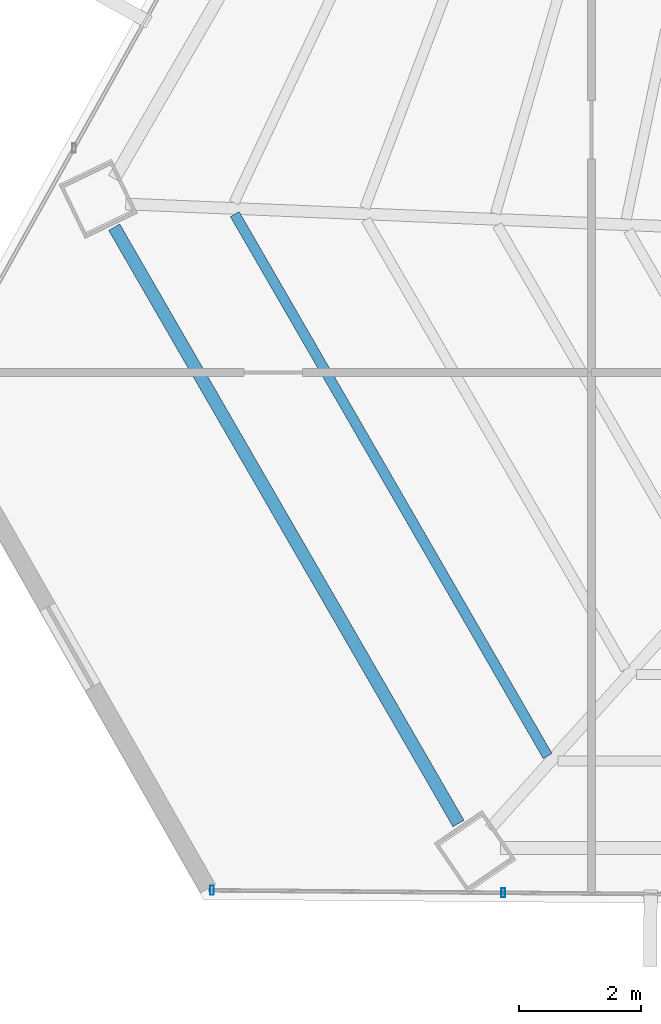
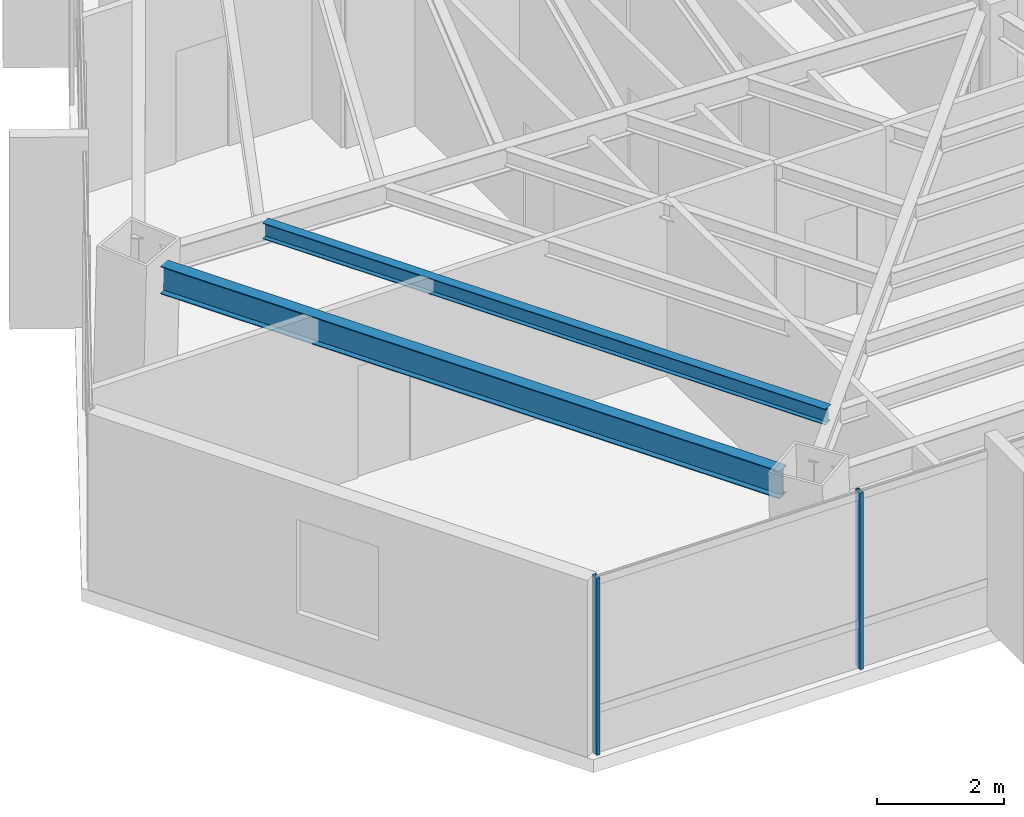
# One storey, part 2 of 38: 2 beams, 2 members, 1 element without a shape of its own.
"""IFC4 building model written with IfcOpenShell, lengths in metres."""

from ifc_helpers import new_model, si_unit, direction, frame, origin, origin_2d, place, context, subcontext, project, spatial, hollow_rectangle, i_section, extrude, source, transform, mapped, material, material_profile, profile_set, type_object, type_shapes, element, aggregate, save


model = new_model("IFC4")

# Units and contexts
model_context = context("Model", 3, precision=1e-05, world=origin(), true_north=direction((0.0, 1.0)))
body_context = subcontext(model_context, "Body", "Model", "MODEL_VIEW")
ifc_project = project(units=[si_unit("LENGTHUNIT", "METRE"), si_unit("AREAUNIT", "SQUARE_METRE"), si_unit("VOLUMEUNIT", "CUBIC_METRE"), si_unit("PLANEANGLEUNIT", "RADIAN"), si_unit("MASSUNIT", "GRAM", prefix="KILO")], contexts=[model_context])

# Site, building, storey
site_placement = place(None, origin())
site = spatial("IfcSite", under=ifc_project, at=site_placement, CompositionType="ELEMENT")
building_placement = place(site_placement, origin())
building = spatial("IfcBuilding", under=site, at=building_placement, Name="Caelisora Broadcast Tower", CompositionType="ELEMENT")
storey_placement = place(building_placement, frame((0.0, 0.0, 158.5)))
storey = spatial("IfcBuildingStorey", under=building, at=storey_placement, Name="L41", CompositionType="ELEMENT", Elevation=158.5)

# Beams
ifc_material_1 = material(Name="Steel Grade 350 (AS/NZS 3679.1)", Category="steel")
ifc_material_profile_1 = material_profile(ifc_material_1, i_section(OverallWidth=0.208984375, OverallDepth=0.532958984375, WebThickness=0.01025390625, FlangeThickness=0.015625, at=origin_2d()), Name="Steel Grade 350 (AS/NZS 3679.1)")
ifc_profile_set_1 = profile_set([ifc_material_profile_1], Name="Steel Grade 350 (AS/NZS 3679.1)")
beam_type_1 = type_object("IfcBeamType", Name="PG05", PredefinedType="BEAM", material=ifc_profile_set_1)
shared_shape_1 = source(origin(), body_context, "Body", "SweptSolid", [
    extrude(i_section(OverallWidth=0.208984375, OverallDepth=0.532958984375, WebThickness=0.01025390625, FlangeThickness=0.015625, at=origin_2d()), origin(), (0.0, 0.0, 1.0), 11.274658203125),
])
type_shapes(beam_type_1, [shared_shape_1])
beam_1_placement = place(storey_placement, frame((15.68798828125, 17.627685546875, 3.133544921875), z_axis=(0.500007362277, -0.86602115313, 0.0), x_axis=(0.86602115313, 0.500007362277, 0.0)))
element("IfcBeam", 1, at=beam_1_placement, inside=storey, type_object=beam_type_1, Name="L41 beam PG05", PredefinedType="BEAM", context=body_context, shape_type="MappedRepresentation", body=[
    mapped(shared_shape_1, transform((0.0, 0.0, 0.0), scale=1.0)),
])
ifc_material_profile_2 = material_profile(ifc_material_1, i_section(OverallWidth=0.166015625, OverallDepth=0.30712890625, WebThickness=0.006591796875, FlangeThickness=0.01171875, at=origin_2d()), Name="Steel Grade 350 (AS/NZS 3679.1)")
ifc_profile_set_2 = profile_set([ifc_material_profile_2], Name="Steel Grade 350 (AS/NZS 3679.1)")
beam_type_2 = type_object("IfcBeamType", Name="SB03", PredefinedType="JOIST", material=ifc_profile_set_2)
shared_shape_2 = source(origin(), body_context, "Body", "SweptSolid", [
    extrude(i_section(OverallWidth=0.166015625, OverallDepth=0.30712890625, WebThickness=0.006591796875, FlangeThickness=0.01171875, at=origin_2d()), origin(), (0.0, 0.0, 1.0), 10.2451171875),
])
type_shapes(beam_type_2, [shared_shape_2])
beam_2_placement = place(storey_placement, frame((17.662109375, 17.84130859375, 3.246337890625), z_axis=(0.499998865407, -0.866026058841, 0.0), x_axis=(0.866026058841, 0.499998865407, 0.0)))
element("IfcBeam", 2, at=beam_2_placement, inside=storey, type_object=beam_type_2, Name="L41 beam SB03", PredefinedType="JOIST", context=body_context, shape_type="MappedRepresentation", body=[
    mapped(shared_shape_2, transform((0.0, 0.0, 0.0), scale=1.0)),
])

# Curtain wall, members
ifc_material_2 = material(Name="Unitised Aluminium and Low-E Glass Curtain Wall", Category="glass")
curtain_wall_type = type_object("IfcCurtainWallType", Name="CW-Z3", PredefinedType="NOTDEFINED", material=ifc_material_2)
curtain_wall_placement = place(storey_placement, origin())
curtain_wall = element("IfcCurtainWall", 3, at=curtain_wall_placement, inside=storey, type_object=curtain_wall_type, Name="L41 curtain wall CW-Z3", PredefinedType="NOTDEFINED")
ifc_material_3 = material(Name="Aluminium 6063-T6 Anodised Terracotta Bronze", Category="aluminium")
ifc_material_profile_3 = material_profile(ifc_material_3, hollow_rectangle(XDim=0.06005859375, YDim=0.14990234375, WallThickness=0.00341796875, at=origin_2d()), Name="Aluminium 6063-T6 Anodised Terracotta Bronze")
ifc_profile_set_3 = profile_set([ifc_material_profile_3], Name="Aluminium 6063-T6 Anodised Terracotta Bronze")
member_type = type_object("IfcMemberType", Name="CWM-03", PredefinedType="MULLION", material=ifc_profile_set_3)
shared_shape_3 = source(origin(), body_context, "Body", "SweptSolid", [
    extrude(hollow_rectangle(XDim=0.06005859375, YDim=0.14990234375, WallThickness=0.00341796875, at=origin_2d()), origin(), (0.0, 0.0, 1.0), 3.39990234375),
])
type_shapes(member_type, [shared_shape_3])
member_1_placement = place(storey_placement, frame((22.0595703125, 6.72998046875, 0.0), z_axis=(0.0, 0.0, 1.0), x_axis=(1.0, 0.0, 0.0)))
member_1 = element("IfcMember", 4, at=member_1_placement, type_object=member_type, Name="L41-CW-B07 mullion #2", PredefinedType="MULLION", context=body_context, shape_type="MappedRepresentation", body=[
    mapped(shared_shape_3, transform((0.0, 0.0, 0.0), scale=1.0)),
])
member_2_placement = place(storey_placement, frame((17.2900390625, 6.76953125, 0.0), z_axis=(0.0, 0.0, 1.0), x_axis=(1.0, 0.0, 0.0)))
member_2 = element("IfcMember", 5, at=member_2_placement, type_object=member_type, Name="L41-CW-B07 mullion #3", PredefinedType="MULLION", context=body_context, shape_type="MappedRepresentation", body=[
    mapped(shared_shape_3, transform((0.0, 0.0, 0.0), scale=1.0)),
])
aggregate(curtain_wall, [member_1, member_2])

save(model, "model.ifc")
